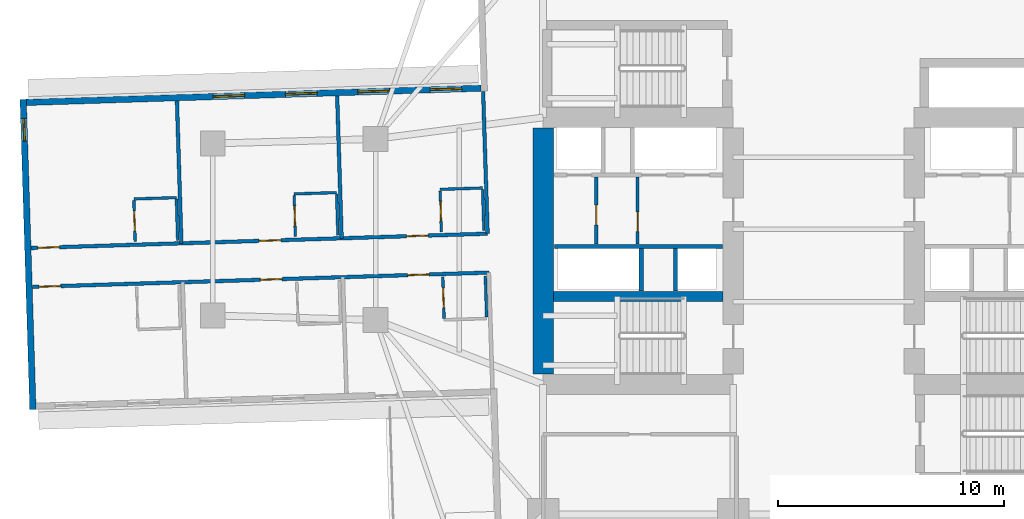
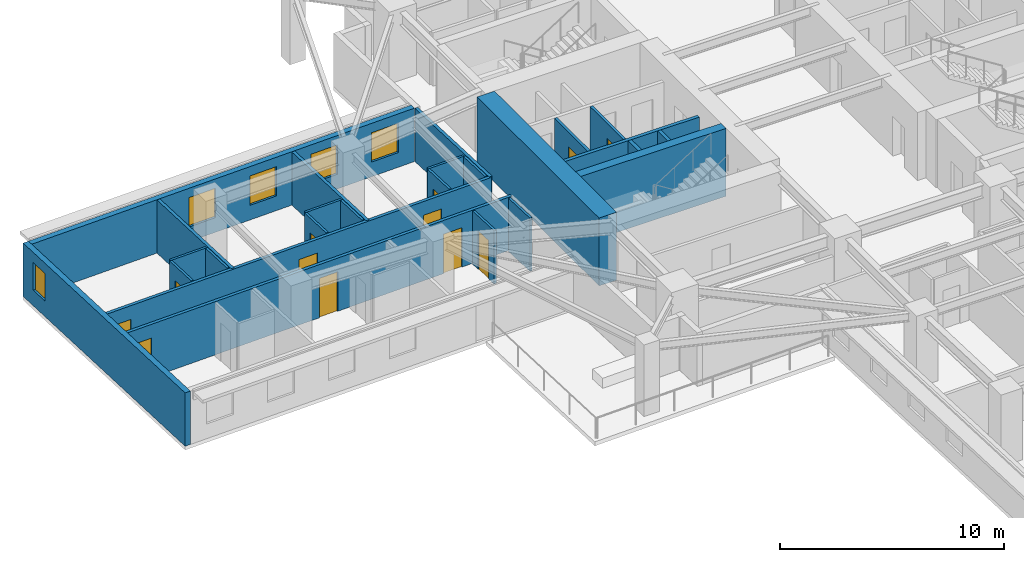
# One storey, part 5 of 14: 25 walls, 12 doors, 5 windows, 17 openings.
"""IFC4 building model written with IfcOpenShell, lengths in metres."""

import ifcopenshell
import ifcopenshell.guid

model = None  # the IFC model being written
_history = None  # IfcOwnerHistory: only IFC2X3 demands one
_inside = {}  # id of a spatial element -> (the spatial element, [elements in it])
_under = {}  # id of a project, library or spatial element -> (it, [spatial elements below it])
_declared = {}  # id of a project -> (the project, [libraries it declares])
_typed = {}  # id of a type object -> (the type object, [elements of that type])
_made_of = {}  # id of a material, layer set ... -> (it, [elements and type objects made of it])


def new_model(schema):
    """Start an empty IFC model of exactly this schema.

    Asked for "IFC4X3", IfcOpenShell would pick the latest addendum, in which some entities
    have other attributes; the version numbers below select the first issue.
    IFC2X3 requires an IfcOwnerHistory on every rooted entity: one is made here for all.
    """
    global model, _history
    if schema == "IFC4X3":
        model = ifcopenshell.file(schema_version=(4, 3, 0, 0))
    else:
        model = ifcopenshell.file(schema=schema)
    _inside.clear()
    _under.clear()
    _declared.clear()
    _typed.clear()
    _made_of.clear()
    _history = None
    if model.schema == "IFC2X3":
        org = make("IfcOrganization", Name="unknown")
        user = make(
            "IfcPersonAndOrganization",
            ThePerson=make("IfcPerson", FamilyName="unknown"),
            TheOrganization=org,
        )
        app = make(
            "IfcApplication",
            ApplicationDeveloper=org,
            Version="unknown",
            ApplicationFullName="unknown",
            ApplicationIdentifier="unknown",
        )
        _history = make(
            "IfcOwnerHistory",
            OwningUser=user,
            OwningApplication=app,
            ChangeAction="ADDED",
            CreationDate=0,
        )
    return model


def make(cls, **values):
    """One entity of the class cls with the attributes given. An attribute that is None is left unset."""
    return model.create_entity(
        cls, **{name: value for name, value in values.items() if value is not None}
    )


def rooted(cls, **values):
    """An entity with a GlobalId (a new one), such as an element, a storey or a relation."""
    return make(cls, GlobalId=ifcopenshell.guid.new(), OwnerHistory=_history, **values)


def si_unit(unit_type, name, prefix=None):
    """IfcSIUnit, for example si_unit("LENGTHUNIT", "METRE", prefix="MILLI")."""
    return make("IfcSIUnit", UnitType=unit_type, Prefix=prefix, Name=name)


def assignment(units):
    """IfcUnitAssignment: the units of a project."""
    return None if units is None else make("IfcUnitAssignment", Units=units)


def point(xyz):
    """IfcCartesianPoint."""
    return None if xyz is None else make("IfcCartesianPoint", Coordinates=xyz)


def direction(xyz):
    """IfcDirection."""
    return None if xyz is None else make("IfcDirection", DirectionRatios=xyz)


def frame(location, z_axis=None, x_axis=None):
    """IfcAxis2Placement3D, a coordinate frame: its origin and axes. An axis left out is left unset."""
    return make(
        "IfcAxis2Placement3D",
        Location=point(location),
        Axis=direction(z_axis),
        RefDirection=direction(x_axis),
    )


def frame_2d(location, x_axis=None):
    """IfcAxis2Placement2D, a coordinate frame in the plane: its origin and x axis."""
    return make(
        "IfcAxis2Placement2D", Location=point(location), RefDirection=direction(x_axis)
    )


def origin():
    """The frame at (0, 0, 0) with its axes left unset."""
    return frame((0.0, 0.0, 0.0))


def place(relative_to, where):
    """IfcLocalPlacement: puts the frame where relative to a parent placement (None: the world)."""
    return make(
        "IfcLocalPlacement", PlacementRelTo=relative_to, RelativePlacement=where
    )


def context(
    kind, dimensions, precision=None, world=None, true_north=None, identifier=None
):
    """IfcGeometricRepresentationContext, for example the 3D "Model" context."""
    return make(
        "IfcGeometricRepresentationContext",
        ContextIdentifier=identifier,
        ContextType=kind,
        CoordinateSpaceDimension=dimensions,
        Precision=precision,
        WorldCoordinateSystem=world,
        TrueNorth=true_north,
    )


def subcontext(parent, identifier, kind, view, scale=None):
    """IfcGeometricRepresentationSubContext, for example "Body" below "Model"."""
    return make(
        "IfcGeometricRepresentationSubContext",
        ContextIdentifier=identifier,
        ContextType=kind,
        ParentContext=parent,
        TargetScale=scale,
        TargetView=view,
    )


def project(units=None, contexts=None):
    """IfcProject with its units and contexts."""
    return rooted(
        "IfcProject",
        Name="project",
        RepresentationContexts=contexts,
        UnitsInContext=assignment(units),
    )


def spatial(cls, under=None, at=None, **own):
    """A site, building, storey or space (cls), placed at a placement, below another one or the project."""
    s = rooted(cls, ObjectPlacement=at, **own)
    if under is not None:
        _under.setdefault(under.id(), (under, []))[1].append(s)
    return s


def profile(cls, at=None, kind="AREA", **sizes):
    """A parametric profile (cls). Its sizes go by their IFC names, for example OverallWidth=200.0."""
    return make(cls, ProfileType=kind, Position=at, **sizes)


def rectangle(**sizes):
    """IfcRectangleProfileDef."""
    return profile("IfcRectangleProfileDef", **sizes)


def extrude(swept, where, along, depth):
    """IfcExtrudedAreaSolid: the profile swept, set in the frame where, extruded along a direction by depth."""
    return make(
        "IfcExtrudedAreaSolid",
        SweptArea=swept,
        Position=where,
        ExtrudedDirection=direction(along),
        Depth=depth,
    )


def shape(context_of_items, identifier, shape_type, items):
    """IfcShapeRepresentation: the items that make up one representation, for example the "Body"."""
    return make(
        "IfcShapeRepresentation",
        ContextOfItems=context_of_items,
        RepresentationIdentifier=identifier,
        RepresentationType=shape_type,
        Items=items,
    )


def material(Name=None, Category=None):
    """IfcMaterial."""
    return make("IfcMaterial", Name=Name, Category=Category)


def layer(
    of_material, thickness, ventilated=None, Name=None, Category=None, Priority=None
):
    """IfcMaterialLayer: one layer of a wall or slab, of a material (None: an air gap)."""
    return make(
        "IfcMaterialLayer",
        Material=of_material,
        LayerThickness=thickness,
        IsVentilated=ventilated,
        Name=Name,
        Category=Category,
        Priority=Priority,
    )


def layer_set(layers, Name=None):
    """IfcMaterialLayerSet."""
    return make("IfcMaterialLayerSet", MaterialLayers=layers, LayerSetName=Name)


def made_of(thing, what):
    """Note that an element or type object is made of a material, layer set ...; save() writes the relation."""
    if what is not None:
        _made_of.setdefault(what.id(), (what, []))[1].append(thing)
    return thing


def type_object(cls, material=None, **own):
    """A type object (cls), such as IfcWallType, which elements share."""
    return made_of(rooted(cls, **own), material)


def element(
    cls,
    number,
    at=None,
    inside=None,
    cuts=None,
    type_object=None,
    material=None,
    context=None,
    identifier="Body",
    shape_type=None,
    held_by="IfcProductDefinitionShape",
    body=None,
    shapes=None,
    **own,
):
    """One element of the class cls, such as IfcWall. Its Tag is "e" and its number.

    at: its placement. inside: the storey or other place that contains it. cuts: it is an
    opening in that element (IfcRelVoidsElement). A single representation is given by context,
    identifier, shape_type and body (its items); several are given by shapes. held_by: the class
    of the entity that holds the representations. save() writes the other relations.
    """
    e = rooted(cls, Tag="e%d" % number, ObjectPlacement=at, **own)
    if body is not None:
        shapes = [shape(context, identifier, shape_type, body)]
    if shapes is not None:
        e.Representation = make(held_by, Representations=shapes)
    if inside is not None:
        _inside.setdefault(inside.id(), (inside, []))[1].append(e)
    if cuts is not None:
        rooted(
            "IfcRelVoidsElement", RelatingBuildingElement=cuts, RelatedOpeningElement=e
        )
    if type_object is not None:
        _typed.setdefault(type_object.id(), (type_object, []))[1].append(e)
    return made_of(e, material)


def fill(opening, filler):
    """IfcRelFillsElement: the door or window that sits in an opening."""
    return rooted(
        "IfcRelFillsElement",
        RelatingOpeningElement=opening,
        RelatedBuildingElement=filler,
    )


def aggregate(whole, parts):
    """IfcRelAggregates: a whole, such as a stair, and the parts it consists of."""
    return rooted("IfcRelAggregates", RelatingObject=whole, RelatedObjects=parts)


def save(model, path):
    """Write the relations noted so far, then the file.

    IfcRelAggregates (storeys below a building ...), IfcRelContainedInSpatialStructure (elements
    in a storey), IfcRelDefinesByType, IfcRelAssociatesMaterial and IfcRelDeclares: one each for
    every whole, place, type object, material and project.
    """
    for whole, parts in _under.values():
        aggregate(whole, parts)
    for where, things in _inside.values():
        rooted(
            "IfcRelContainedInSpatialStructure",
            RelatedElements=things,
            RelatingStructure=where,
        )
    for kind, things in _typed.values():
        rooted("IfcRelDefinesByType", RelatedObjects=things, RelatingType=kind)
    for what, things in _made_of.values():
        rooted("IfcRelAssociatesMaterial", RelatedObjects=things, RelatingMaterial=what)
    for by, libraries in _declared.values():
        rooted("IfcRelDeclares", RelatingContext=by, RelatedDefinitions=libraries)
    model.write(path)


model = new_model("IFC4")

# Units and contexts
model_context = context("Model", 3, precision=1e-05, world=origin(), true_north=direction((0.0, 1.0)))
body_context = subcontext(model_context, "Body", "Model", "MODEL_VIEW")
ifc_project = project(units=[si_unit("LENGTHUNIT", "METRE"), si_unit("AREAUNIT", "SQUARE_METRE"), si_unit("VOLUMEUNIT", "CUBIC_METRE"), si_unit("PLANEANGLEUNIT", "RADIAN"), si_unit("MASSUNIT", "GRAM", prefix="KILO")], contexts=[model_context])

# Site, building, storey
site_placement = place(None, origin())
site = spatial("IfcSite", under=ifc_project, at=site_placement, CompositionType="ELEMENT")
building_placement = place(site_placement, origin())
building = spatial("IfcBuilding", under=site, at=building_placement, Name="Qingluan Cross Belvedere", CompositionType="ELEMENT")
storey_placement = place(building_placement, frame((0.0, 0.0, 56.10009765625)))
storey = spatial("IfcBuildingStorey", under=building, at=storey_placement, Name="L14", CompositionType="ELEMENT", Elevation=56.10009765625)

# Walls
ifc_material_1 = material(Name="Concrete C50", Category="concrete")
ifc_layer_1 = layer(ifc_material_1, 0.449951171875, Name="CoreShearWall_450")
ifc_layer_set_1 = layer_set([ifc_layer_1], Name="Concrete C50")
wall_type_1 = type_object("IfcWallType", Name="CoreShearWall_450", PredefinedType="SHEAR", material=ifc_layer_set_1)
wall_1_placement = place(storey_placement, frame((-11.945068359375, -2.9599609375, 0.0), z_axis=(0.0, 0.0, 1.0), x_axis=(1.0, 0.0, 0.0)))
element("IfcWall", 1, at=wall_1_placement, inside=storey, type_object=wall_type_1, Name="Split core W shear wall L14-M", PredefinedType="SHEAR", context=body_context, shape_type="SweptSolid", body=[
    extrude(rectangle(XDim=7.489990234375, YDim=0.449951171875, at=frame_2d((3.7451171875, 0.0))), origin(), (0.0, 0.0, 1.0), 3.699951171875),
])
ifc_material_2 = material(Name="Concrete C70", Category="concrete")
ifc_layer_2 = layer(ifc_material_2, 0.89990234375, Name="CoreShearWall_900")
ifc_layer_set_2 = layer_set([ifc_layer_2], Name="Concrete C70")
wall_type_2 = type_object("IfcWallType", Name="CoreShearWall_900", PredefinedType="SHEAR", material=ifc_layer_set_2)
wall_2_placement = place(storey_placement, frame((-12.39990234375, -6.39501953125, 0.0), z_axis=(0.0, 0.0, 1.0), x_axis=(0.0, 1.0, 0.0)))
element("IfcWall", 2, at=wall_2_placement, inside=storey, type_object=wall_type_2, Name="Split core W shear wall L14-W", PredefinedType="SHEAR", context=body_context, shape_type="SweptSolid", body=[
    extrude(rectangle(XDim=10.89013671875, YDim=0.89990234375, at=frame_2d((5.445068359375, 0.0))), origin(), (0.0, 0.0, 1.0), 3.699951171875),
])

# Wall, opening, door
ifc_material_3 = material(Name="Gypsum plasterboard on steel stud acoustic partition", Category="steel")
ifc_layer_3 = layer(ifc_material_3, 0.159912109375, Name="CorridorPartition_160")
ifc_layer_set_3 = layer_set([ifc_layer_3], Name="Gypsum plasterboard on steel stud acoustic partition")
wall_type_3 = type_object("IfcWallType", Name="CorridorPartition_160", PredefinedType="PARTITIONING", material=ifc_layer_set_3)
wall_3_placement = place(storey_placement, frame((-10.050048828125, -0.652099609375, 0.0), z_axis=(0.0, 0.0, 1.0), x_axis=(0.0, 1.0, 0.0)))
wall_3 = element("IfcWall", 3, at=wall_3_placement, inside=storey, type_object=wall_type_3, Name="Partition L14:wv", PredefinedType="PARTITIONING", context=body_context, shape_type="SweptSolid", body=[
    extrude(rectangle(XDim=2.962158203125, YDim=0.139892578125, at=frame_2d((1.48095703125, 0.0))), origin(), (0.0, 0.0, 1.0), 2.89990234375),
])
opening_1_placement = place(wall_3_placement, frame((0.85009765625, 0.0, 0.0)))
opening_1 = element("IfcOpeningElement", 4, at=opening_1_placement, cuts=wall_3, Name="Opening FD-B10", PredefinedType="OPENING", context=body_context, shape_type="SweptSolid", body=[
    extrude(rectangle(XDim=0.8798828125, YDim=2.10009765625, at=frame_2d((0.43994140625, 1.050048828125))), frame((0.0, 0.079833984375, 0.0), z_axis=(0.0, -1.0, 0.0), x_axis=(1.0, 0.0, 0.0)), (0.0, 0.0, 1.0), 0.159912109375),
])
ifc_material_4 = material(Name="Steel Class B service fire door", Category="steel")
door_type_1 = type_object("IfcDoorType", Name="RiserServiceFireDoor_FDB", OperationType="NOTDEFINED", PredefinedType="DOOR", material=ifc_material_4)
door_1_placement = place(opening_1_placement, origin())
door_1 = element("IfcDoor", 5, at=door_1_placement, inside=storey, type_object=door_type_1, Name="Service closet inner door L14", OperationType="SINGLE_SWING_RIGHT", OverallHeight=2.10009765625, OverallWidth=0.8798828125, PredefinedType="DOOR", context=body_context, shape_type="SweptSolid", body=[
    extrude(rectangle(XDim=0.8798828125, YDim=2.10009765625, at=frame_2d((0.43994140625, 1.050048828125))), frame((0.0, 0.02490234375, 0.0), z_axis=(0.0, -1.0, 0.0), x_axis=(1.0, 0.0, 0.0)), (0.0, 0.0, 1.0), 0.050048828125),
])
fill(opening_1, door_1)

# Wall, openings, doors
wall_4_placement = place(storey_placement, frame((-14.8515625, -0.1865234375, 0.0), z_axis=(0.0, 0.0, 1.0), x_axis=(-0.99950639469, -0.031416030536, 0.0)))
wall_4 = element("IfcWall", 6, at=wall_4_placement, inside=storey, type_object=wall_type_3, Name="Partition L14:W:c0", PredefinedType="PARTITIONING", context=body_context, shape_type="SweptSolid", body=[
    extrude(rectangle(XDim=20.181884765625, YDim=0.159912109375, at=frame_2d((10.0908203125, 0.0))), origin(), (0.0, 0.0, 1.0), 2.89990234375),
])
opening_2_placement = place(wall_4_placement, frame((2.6259765625, 0.0, 0.0)))
opening_2 = element("IfcOpeningElement", 7, at=opening_2_placement, cuts=wall_4, Name="Opening GD-10", PredefinedType="OPENING", context=body_context, shape_type="SweptSolid", body=[
    extrude(rectangle(XDim=0.9599609375, YDim=2.14990234375, at=frame_2d((0.47998046875, 1.074951171875))), frame((0.0, 0.08984375, 0.0), z_axis=(0.0, -1.0, 0.0), x_axis=(1.0, 0.0, 0.0)), (0.0, 0.0, 1.0), 0.179931640625),
])
opening_3_placement = place(wall_4_placement, frame((9.14306640625, 0.0, 0.0)))
opening_3 = element("IfcOpeningElement", 8, at=opening_3_placement, cuts=wall_4, Name="Opening GD-10", PredefinedType="OPENING", context=body_context, shape_type="SweptSolid", body=[
    extrude(rectangle(XDim=0.9599609375, YDim=2.14990234375, at=frame_2d((0.47998046875, 1.074951171875))), frame((0.0, 0.08984375, 0.0), z_axis=(0.0, -1.0, 0.0), x_axis=(1.0, 0.0, 0.0)), (0.0, 0.0, 1.0), 0.179931640625),
])
opening_4_placement = place(wall_4_placement, frame((18.929931640625, 0.0, 0.0)))
opening_4 = element("IfcOpeningElement", 9, at=opening_4_placement, cuts=wall_4, Name="Opening GD-10", PredefinedType="OPENING", context=body_context, shape_type="SweptSolid", body=[
    extrude(rectangle(XDim=0.9599609375, YDim=2.14990234375, at=frame_2d((0.47998046875, 1.074951171875))), frame((0.0, 0.08984375, 0.0), z_axis=(0.0, -1.0, 0.0), x_axis=(1.0, 0.0, 0.0)), (0.0, 0.0, 1.0), 0.179931640625),
])
ifc_material_5 = material(Name="Timber oak fire-rated acoustic guestroom door", Category="wood")
door_type_2 = type_object("IfcDoorType", Name="GuestEntryDoor_FD60", OperationType="NOTDEFINED", PredefinedType="DOOR", material=ifc_material_5)
door_2_placement = place(opening_2_placement, origin())
door_2 = element("IfcDoor", 10, at=door_2_placement, inside=storey, type_object=door_type_2, Name="Guest entry fire door 1407", OperationType="SINGLE_SWING_LEFT", OverallHeight=2.14990234375, OverallWidth=0.9599609375, PredefinedType="DOOR", context=body_context, shape_type="SweptSolid", body=[
    extrude(rectangle(XDim=0.9599609375, YDim=2.14990234375, at=frame_2d((0.47998046875, 1.074951171875))), frame((0.0, 0.02490234375, 0.0), z_axis=(0.0, -1.0, 0.0), x_axis=(1.0, 0.0, 0.0)), (0.0, 0.0, 1.0), 0.050048828125),
])
fill(opening_2, door_2)
door_3_placement = place(opening_3_placement, origin())
door_3 = element("IfcDoor", 11, at=door_3_placement, inside=storey, type_object=door_type_2, Name="Guest entry fire door 1408", OperationType="SINGLE_SWING_LEFT", OverallHeight=2.14990234375, OverallWidth=0.9599609375, PredefinedType="DOOR", context=body_context, shape_type="SweptSolid", body=[
    extrude(rectangle(XDim=0.9599609375, YDim=2.14990234375, at=frame_2d((0.47998046875, 1.074951171875))), frame((0.0, 0.02490234375, 0.0), z_axis=(0.0, -1.0, 0.0), x_axis=(1.0, 0.0, 0.0)), (0.0, 0.0, 1.0), 0.050048828125),
])
fill(opening_3, door_3)
door_4_placement = place(opening_4_placement, origin())
door_4 = element("IfcDoor", 12, at=door_4_placement, inside=storey, type_object=door_type_2, Name="Guest entry fire door 1409", OperationType="SINGLE_SWING_LEFT", OverallHeight=2.14990234375, OverallWidth=0.9599609375, PredefinedType="DOOR", context=body_context, shape_type="SweptSolid", body=[
    extrude(rectangle(XDim=0.9599609375, YDim=2.14990234375, at=frame_2d((0.47998046875, 1.074951171875))), frame((0.0, 0.02490234375, 0.0), z_axis=(0.0, -1.0, 0.0), x_axis=(1.0, 0.0, 0.0)), (0.0, 0.0, 1.0), 0.050048828125),
])
fill(opening_4, door_4)

# Walls
wall_5_placement = place(storey_placement, frame((-14.8515625, -0.1865234375, 0.0), z_axis=(0.0, 0.0, 1.0), x_axis=(-0.031429784908, 0.999505962274, 0.0)))
element("IfcWall", 13, at=wall_5_placement, inside=storey, type_object=wall_type_3, Name="Partition L14:W:s0", PredefinedType="PARTITIONING", context=body_context, shape_type="SweptSolid", body=[
    extrude(rectangle(XDim=6.2919921875, YDim=0.159912109375, at=frame_2d((3.14599609375, 0.0))), origin(), (0.0, 0.0, 1.0), 2.89990234375),
])
wall_6_placement = place(storey_placement, frame((-21.30322265625, -0.389404296875, 0.0), z_axis=(0.0, 0.0, 1.0), x_axis=(-0.031428566013, 0.999506000601, 0.0)))
element("IfcWall", 14, at=wall_6_placement, inside=storey, type_object=wall_type_3, Name="Partition L14:W:d0_0", PredefinedType="PARTITIONING", context=body_context, shape_type="SweptSolid", body=[
    extrude(rectangle(XDim=6.292236328125, YDim=0.159912109375, at=frame_2d((3.14599609375, 0.0))), origin(), (0.0, 0.0, 1.0), 2.89990234375),
])
wall_7_placement = place(storey_placement, frame((-28.384765625, -0.61181640625, 0.0), z_axis=(0.0, 0.0, 1.0), x_axis=(-0.031429784908, 0.999505962274, 0.0)))
element("IfcWall", 15, at=wall_7_placement, inside=storey, type_object=wall_type_3, Name="Partition L14:W:d0_1", PredefinedType="PARTITIONING", context=body_context, shape_type="SweptSolid", body=[
    extrude(rectangle(XDim=6.2919921875, YDim=0.159912109375, at=frame_2d((3.14599609375, 0.0))), origin(), (0.0, 0.0, 1.0), 2.89990234375),
])

# Wall, openings, doors
wall_8_placement = place(storey_placement, frame((-14.79736328125, -1.90576171875, 0.0), z_axis=(0.0, 0.0, 1.0), x_axis=(-0.999506406629, -0.031415650687, 0.0)))
wall_8 = element("IfcWall", 16, at=wall_8_placement, inside=storey, type_object=wall_type_3, Name="Partition L14:W:c1", PredefinedType="PARTITIONING", context=body_context, shape_type="SweptSolid", body=[
    extrude(rectangle(XDim=20.18212890625, YDim=0.159912109375, at=frame_2d((10.091064453125, 0.0))), origin(), (0.0, 0.0, 1.0), 2.89990234375),
])
opening_5_placement = place(wall_8_placement, frame((2.6259765625, 0.0, 0.0)))
opening_5 = element("IfcOpeningElement", 17, at=opening_5_placement, cuts=wall_8, Name="Opening GD-10", PredefinedType="OPENING", context=body_context, shape_type="SweptSolid", body=[
    extrude(rectangle(XDim=0.9599609375, YDim=2.14990234375, at=frame_2d((0.47998046875, 1.074951171875))), frame((0.0, 0.08984375, 0.0), z_axis=(0.0, -1.0, 0.0), x_axis=(1.0, 0.0, 0.0)), (0.0, 0.0, 1.0), 0.179931640625),
])
opening_6_placement = place(wall_8_placement, frame((9.14306640625, 0.0, 0.0)))
opening_6 = element("IfcOpeningElement", 18, at=opening_6_placement, cuts=wall_8, Name="Opening GD-10", PredefinedType="OPENING", context=body_context, shape_type="SweptSolid", body=[
    extrude(rectangle(XDim=0.9599609375, YDim=2.14990234375, at=frame_2d((0.47998046875, 1.074951171875))), frame((0.0, 0.08984375, 0.0), z_axis=(0.0, -1.0, 0.0), x_axis=(1.0, 0.0, 0.0)), (0.0, 0.0, 1.0), 0.179931640625),
])
opening_7_placement = place(wall_8_placement, frame((18.929931640625, 0.0, 0.0)))
opening_7 = element("IfcOpeningElement", 19, at=opening_7_placement, cuts=wall_8, Name="Opening GD-10", PredefinedType="OPENING", context=body_context, shape_type="SweptSolid", body=[
    extrude(rectangle(XDim=0.9599609375, YDim=2.14990234375, at=frame_2d((0.47998046875, 1.074951171875))), frame((0.0, 0.08984375, 0.0), z_axis=(0.0, -1.0, 0.0), x_axis=(1.0, 0.0, 0.0)), (0.0, 0.0, 1.0), 0.179931640625),
])
door_5_placement = place(opening_5_placement, origin())
door_5 = element("IfcDoor", 20, at=door_5_placement, inside=storey, type_object=door_type_2, Name="Guest entry fire door 1410", OperationType="SINGLE_SWING_LEFT", OverallHeight=2.14990234375, OverallWidth=0.9599609375, PredefinedType="DOOR", context=body_context, shape_type="SweptSolid", body=[
    extrude(rectangle(XDim=0.9599609375, YDim=2.14990234375, at=frame_2d((0.47998046875, 1.074951171875))), frame((0.0, 0.02490234375, 0.0), z_axis=(0.0, -1.0, 0.0), x_axis=(1.0, 0.0, 0.0)), (0.0, 0.0, 1.0), 0.050048828125),
])
fill(opening_5, door_5)
door_6_placement = place(opening_6_placement, origin())
door_6 = element("IfcDoor", 21, at=door_6_placement, inside=storey, type_object=door_type_2, Name="Guest entry fire door 1411", OperationType="SINGLE_SWING_LEFT", OverallHeight=2.14990234375, OverallWidth=0.9599609375, PredefinedType="DOOR", context=body_context, shape_type="SweptSolid", body=[
    extrude(rectangle(XDim=0.9599609375, YDim=2.14990234375, at=frame_2d((0.47998046875, 1.074951171875))), frame((0.0, 0.02490234375, 0.0), z_axis=(0.0, -1.0, 0.0), x_axis=(1.0, 0.0, 0.0)), (0.0, 0.0, 1.0), 0.050048828125),
])
fill(opening_6, door_6)
door_7_placement = place(opening_7_placement, origin())
door_7 = element("IfcDoor", 22, at=door_7_placement, inside=storey, type_object=door_type_2, Name="Guest entry fire door 1412", OperationType="SINGLE_SWING_LEFT", OverallHeight=2.14990234375, OverallWidth=0.9599609375, PredefinedType="DOOR", context=body_context, shape_type="SweptSolid", body=[
    extrude(rectangle(XDim=0.9599609375, YDim=2.14990234375, at=frame_2d((0.47998046875, 1.074951171875))), frame((0.0, 0.02490234375, 0.0), z_axis=(0.0, -1.0, 0.0), x_axis=(1.0, 0.0, 0.0)), (0.0, 0.0, 1.0), 0.050048828125),
])
fill(opening_7, door_7)

# Wall, opening, door
ifc_material_6 = material(Name="Moisture-resistant gypsum board lining")
ifc_layer_4 = layer(ifc_material_6, 0.1201171875, Name="EnsuiteWetPartition_120")
ifc_layer_set_4 = layer_set([ifc_layer_4], Name="Moisture-resistant gypsum board lining")
wall_type_4 = type_object("IfcWallType", Name="EnsuiteWetPartition_120", PredefinedType="PARTITIONING", material=ifc_layer_set_4)
wall_9_placement = place(storey_placement, frame((-16.89501953125, -0.110595703125, 0.0), z_axis=(0.0, 0.0, 1.0), x_axis=(-0.031255692016, 0.999511421504, 0.0)))
wall_9 = element("IfcWall", 23, at=wall_9_placement, inside=storey, type_object=wall_type_4, Name="Partition L14:W:bs0_0", PredefinedType="PARTITIONING", context=body_context, shape_type="SweptSolid", body=[
    extrude(rectangle(XDim=1.820068359375, YDim=0.1201171875, at=frame_2d((0.91015625, 0.0))), origin(), (0.0, 0.0, 1.0), 2.89990234375),
])
opening_8_placement = place(wall_9_placement, frame((0.469970703125, 0.0, 0.0)))
opening_8 = element("IfcOpeningElement", 24, at=opening_8_placement, cuts=wall_9, Name="Opening BD-09", PredefinedType="OPENING", context=body_context, shape_type="SweptSolid", body=[
    extrude(rectangle(XDim=0.8798828125, YDim=2.10009765625, at=frame_2d((0.43994140625, 1.050048828125))), frame((0.0, 0.070068359375, 0.0), z_axis=(0.0, -1.0, 0.0), x_axis=(1.0, 0.0, 0.0)), (0.0, 0.0, 1.0), 0.14013671875),
])
ifc_material_7 = material(Name="Moisture-sealed timber en-suite door", Category="wood")
door_type_3 = type_object("IfcDoorType", Name="BathroomDoor_880", OperationType="NOTDEFINED", PredefinedType="DOOR", material=ifc_material_7)
door_8_placement = place(opening_8_placement, origin())
door_8 = element("IfcDoor", 25, at=door_8_placement, inside=storey, type_object=door_type_3, Name="Bathroom door 1407", OperationType="SINGLE_SWING_RIGHT", OverallHeight=2.10009765625, OverallWidth=0.8798828125, PredefinedType="DOOR", context=body_context, shape_type="SweptSolid", body=[
    extrude(rectangle(XDim=0.8798828125, YDim=2.10009765625, at=frame_2d((0.43994140625, 1.050048828125))), frame((0.0, 0.02490234375, 0.0), z_axis=(0.0, -1.0, 0.0), x_axis=(1.0, 0.0, 0.0)), (0.0, 0.0, 1.0), 0.050048828125),
])
fill(opening_8, door_8)

# Walls
wall_10_placement = place(storey_placement, frame((-15.015869140625, -0.0517578125, 0.0), z_axis=(0.0, 0.0, 1.0), x_axis=(-0.031389704724, 0.999507221803, 0.0)))
element("IfcWall", 26, at=wall_10_placement, inside=storey, type_object=wall_type_4, Name="Partition L14:W:bw0_0", PredefinedType="PARTITIONING", context=body_context, shape_type="SweptSolid", body=[
    extrude(rectangle(XDim=1.820068359375, YDim=0.1201171875, at=frame_2d((0.91015625, 0.0))), origin(), (0.0, 0.0, 1.0), 2.89990234375),
])
wall_11_placement = place(storey_placement, frame((-15.074951171875, 1.83251953125, 0.0), z_axis=(0.0, 0.0, 1.0), x_axis=(-0.999502016358, -0.031555020134, 0.0)))
element("IfcWall", 27, at=wall_11_placement, inside=storey, type_object=wall_type_4, Name="Partition L14:W:bn0_0", PredefinedType="PARTITIONING", context=body_context, shape_type="SweptSolid", body=[
    extrude(rectangle(XDim=1.880126953125, YDim=0.1201171875, at=frame_2d((0.93994140625, 0.0))), origin(), (0.0, 0.0, 1.0), 2.89990234375),
])

# Wall, opening, door
wall_12_placement = place(storey_placement, frame((-23.3466796875, -0.3134765625, 0.0), z_axis=(0.0, 0.0, 1.0), x_axis=(-0.031389704724, 0.999507221803, 0.0)))
wall_12 = element("IfcWall", 28, at=wall_12_placement, inside=storey, type_object=wall_type_4, Name="Partition L14:W:bs0_1", PredefinedType="PARTITIONING", context=body_context, shape_type="SweptSolid", body=[
    extrude(rectangle(XDim=1.820068359375, YDim=0.1201171875, at=frame_2d((0.91015625, 0.0))), origin(), (0.0, 0.0, 1.0), 2.89990234375),
])
opening_9_placement = place(wall_12_placement, frame((0.469970703125, 0.0, 0.0)))
opening_9 = element("IfcOpeningElement", 29, at=opening_9_placement, cuts=wall_12, Name="Opening BD-09", PredefinedType="OPENING", context=body_context, shape_type="SweptSolid", body=[
    extrude(rectangle(XDim=0.8798828125, YDim=2.10009765625, at=frame_2d((0.43994140625, 1.050048828125))), frame((0.0, 0.070068359375, 0.0), z_axis=(0.0, -1.0, 0.0), x_axis=(1.0, 0.0, 0.0)), (0.0, 0.0, 1.0), 0.14013671875),
])
door_9_placement = place(opening_9_placement, origin())
door_9 = element("IfcDoor", 30, at=door_9_placement, inside=storey, type_object=door_type_3, Name="Bathroom door 1408", OperationType="SINGLE_SWING_RIGHT", OverallHeight=2.10009765625, OverallWidth=0.8798828125, PredefinedType="DOOR", context=body_context, shape_type="SweptSolid", body=[
    extrude(rectangle(XDim=0.8798828125, YDim=2.10009765625, at=frame_2d((0.43994140625, 1.050048828125))), frame((0.0, 0.02490234375, 0.0), z_axis=(0.0, -1.0, 0.0), x_axis=(1.0, 0.0, 0.0)), (0.0, 0.0, 1.0), 0.050048828125),
])
fill(opening_9, door_9)

# Walls
wall_13_placement = place(storey_placement, frame((-21.467529296875, -0.25439453125, 0.0), z_axis=(0.0, 0.0, 1.0), x_axis=(-0.03152371574, 0.999503004171, 0.0)))
element("IfcWall", 31, at=wall_13_placement, inside=storey, type_object=wall_type_4, Name="Partition L14:W:bw0_1", PredefinedType="PARTITIONING", context=body_context, shape_type="SweptSolid", body=[
    extrude(rectangle(XDim=1.820068359375, YDim=0.1201171875, at=frame_2d((0.91015625, 0.0))), origin(), (0.0, 0.0, 1.0), 2.89990234375),
])
wall_14_placement = place(storey_placement, frame((-21.52685546875, 1.629638671875, 0.0), z_axis=(0.0, 0.0, 1.0), x_axis=(-0.999506103526, -0.031425292588, 0.0)))
element("IfcWall", 32, at=wall_14_placement, inside=storey, type_object=wall_type_4, Name="Partition L14:W:bn0_1", PredefinedType="PARTITIONING", context=body_context, shape_type="SweptSolid", body=[
    extrude(rectangle(XDim=1.880126953125, YDim=0.1201171875, at=frame_2d((0.93994140625, 0.0))), origin(), (0.0, 0.0, 1.0), 2.89990234375),
])

# Wall, opening, door
wall_15_placement = place(storey_placement, frame((-30.42822265625, -0.535888671875, 0.0), z_axis=(0.0, 0.0, 1.0), x_axis=(-0.031389704724, 0.999507221803, 0.0)))
wall_15 = element("IfcWall", 33, at=wall_15_placement, inside=storey, type_object=wall_type_4, Name="Partition L14:W:bs0_2", PredefinedType="PARTITIONING", context=body_context, shape_type="SweptSolid", body=[
    extrude(rectangle(XDim=1.820068359375, YDim=0.1201171875, at=frame_2d((0.91015625, 0.0))), origin(), (0.0, 0.0, 1.0), 2.89990234375),
])
opening_10_placement = place(wall_15_placement, frame((0.469970703125, 0.0, 0.0)))
opening_10 = element("IfcOpeningElement", 34, at=opening_10_placement, cuts=wall_15, Name="Opening BD-09", PredefinedType="OPENING", context=body_context, shape_type="SweptSolid", body=[
    extrude(rectangle(XDim=0.8798828125, YDim=2.10009765625, at=frame_2d((0.43994140625, 1.050048828125))), frame((0.0, 0.070068359375, 0.0), z_axis=(0.0, -1.0, 0.0), x_axis=(1.0, 0.0, 0.0)), (0.0, 0.0, 1.0), 0.14013671875),
])
door_10_placement = place(opening_10_placement, origin())
door_10 = element("IfcDoor", 35, at=door_10_placement, inside=storey, type_object=door_type_3, Name="Bathroom door 1409", OperationType="SINGLE_SWING_RIGHT", OverallHeight=2.10009765625, OverallWidth=0.8798828125, PredefinedType="DOOR", context=body_context, shape_type="SweptSolid", body=[
    extrude(rectangle(XDim=0.8798828125, YDim=2.10009765625, at=frame_2d((0.43994140625, 1.050048828125))), frame((0.0, 0.02490234375, 0.0), z_axis=(0.0, -1.0, 0.0), x_axis=(1.0, 0.0, 0.0)), (0.0, 0.0, 1.0), 0.050048828125),
])
fill(opening_10, door_10)

# Walls
wall_16_placement = place(storey_placement, frame((-28.549072265625, -0.47705078125, 0.0), z_axis=(0.0, 0.0, 1.0), x_axis=(-0.031389704724, 0.999507221803, 0.0)))
element("IfcWall", 36, at=wall_16_placement, inside=storey, type_object=wall_type_4, Name="Partition L14:W:bw0_2", PredefinedType="PARTITIONING", context=body_context, shape_type="SweptSolid", body=[
    extrude(rectangle(XDim=1.820068359375, YDim=0.1201171875, at=frame_2d((0.91015625, 0.0))), origin(), (0.0, 0.0, 1.0), 2.89990234375),
])
wall_17_placement = place(storey_placement, frame((-28.6083984375, 1.406982421875, 0.0), z_axis=(0.0, 0.0, 1.0), x_axis=(-0.999505975261, -0.031429371883, 0.0)))
element("IfcWall", 37, at=wall_17_placement, inside=storey, type_object=wall_type_4, Name="Partition L14:W:bn0_2", PredefinedType="PARTITIONING", context=body_context, shape_type="SweptSolid", body=[
    extrude(rectangle(XDim=1.8798828125, YDim=0.1201171875, at=frame_2d((0.93994140625, 0.0))), origin(), (0.0, 0.0, 1.0), 2.89990234375),
])

# Wall, opening, door
wall_18_placement = place(storey_placement, frame((-16.77490234375, -3.928955078125, 0.0), z_axis=(0.0, 0.0, 1.0), x_axis=(-0.031385496622, 0.999507353951, 0.0)))
wall_18 = element("IfcWall", 38, at=wall_18_placement, inside=storey, type_object=wall_type_4, Name="Partition L14:W:bs1_0", PredefinedType="PARTITIONING", context=body_context, shape_type="SweptSolid", body=[
    extrude(rectangle(XDim=1.8203125, YDim=0.1201171875, at=frame_2d((0.91015625, 0.0))), origin(), (0.0, 0.0, 1.0), 2.89990234375),
])
opening_11_placement = place(wall_18_placement, frame((0.469970703125, 0.0, 0.0)))
opening_11 = element("IfcOpeningElement", 39, at=opening_11_placement, cuts=wall_18, Name="Opening BD-09", PredefinedType="OPENING", context=body_context, shape_type="SweptSolid", body=[
    extrude(rectangle(XDim=0.8798828125, YDim=2.10009765625, at=frame_2d((0.43994140625, 1.050048828125))), frame((0.0, 0.070068359375, 0.0), z_axis=(0.0, -1.0, 0.0), x_axis=(1.0, 0.0, 0.0)), (0.0, 0.0, 1.0), 0.14013671875),
])
door_11_placement = place(opening_11_placement, origin())
door_11 = element("IfcDoor", 40, at=door_11_placement, inside=storey, type_object=door_type_3, Name="Bathroom door 1410", OperationType="SINGLE_SWING_RIGHT", OverallHeight=2.10009765625, OverallWidth=0.8798828125, PredefinedType="DOOR", context=body_context, shape_type="SweptSolid", body=[
    extrude(rectangle(XDim=0.8798828125, YDim=2.10009765625, at=frame_2d((0.43994140625, 1.050048828125))), frame((0.0, 0.02490234375, 0.0), z_axis=(0.0, -1.0, 0.0), x_axis=(1.0, 0.0, 0.0)), (0.0, 0.0, 1.0), 0.050048828125),
])
fill(opening_11, door_11)

# Wall
wall_19_placement = place(storey_placement, frame((-14.895751953125, -3.869873046875, 0.0), z_axis=(0.0, 0.0, 1.0), x_axis=(-0.031389704724, 0.999507221803, 0.0)))
element("IfcWall", 41, at=wall_19_placement, inside=storey, type_object=wall_type_4, Name="Partition L14:W:bw1_0", PredefinedType="PARTITIONING", context=body_context, shape_type="SweptSolid", body=[
    extrude(rectangle(XDim=1.820068359375, YDim=0.1201171875, at=frame_2d((0.91015625, 0.0))), origin(), (0.0, 0.0, 1.0), 2.89990234375),
])

# Wall, openings, windows
ifc_material_8 = material(Name="Precast concrete C45", Category="concrete")
ifc_layer_5 = layer(ifc_material_8, 0.280029296875, Name="PrecastFacadeWall_280")
ifc_layer_set_5 = layer_set([ifc_layer_5], Name="Precast concrete C45")
wall_type_5 = type_object("IfcWallType", Name="PrecastFacadeWall_280", PredefinedType="STANDARD", material=ifc_layer_set_5)
wall_20_placement = place(storey_placement, frame((-15.143798828125, 6.247314453125, 0.0), z_axis=(0.0, 0.0, 1.0), x_axis=(-0.999506955354, -0.031398187845, 0.0)))
wall_20 = element("IfcWall", 42, at=wall_20_placement, inside=storey, type_object=wall_type_5, Name="Facade wall L14-WA", PredefinedType="STANDARD", context=body_context, shape_type="SweptSolid", body=[
    extrude(rectangle(XDim=20.10009765625, YDim=0.280029296875, at=frame_2d((10.050048828125, 0.0))), origin(), (0.0, 0.0, 1.0), 2.909912109375),
])
opening_12_placement = place(wall_20_placement, frame((0.85009765625, 0.0, 0.800048828125)))
opening_12 = element("IfcOpeningElement", 43, at=opening_12_placement, cuts=wall_20, Name="Opening W-01", PredefinedType="OPENING", context=body_context, shape_type="SweptSolid", body=[
    extrude(rectangle(XDim=1.39990234375, YDim=1.60009765625, at=frame_2d((0.699951171875, 0.800048828125))), frame((0.0, 0.14990234375, 0.0), z_axis=(0.0, -1.0, 0.0), x_axis=(1.0, 0.0, 0.0)), (0.0, 0.0, 1.0), 0.300048828125),
])
opening_13_placement = place(wall_20_placement, frame((4.050048828125, 0.0, 0.800048828125)))
opening_13 = element("IfcOpeningElement", 44, at=opening_13_placement, cuts=wall_20, Name="Opening W-01", PredefinedType="OPENING", context=body_context, shape_type="SweptSolid", body=[
    extrude(rectangle(XDim=1.39990234375, YDim=1.60009765625, at=frame_2d((0.699951171875, 0.800048828125))), frame((0.0, 0.14990234375, 0.0), z_axis=(0.0, -1.0, 0.0), x_axis=(1.0, 0.0, 0.0)), (0.0, 0.0, 1.0), 0.300048828125),
])
opening_14_placement = place(wall_20_placement, frame((7.25, 0.0, 0.800048828125)))
opening_14 = element("IfcOpeningElement", 45, at=opening_14_placement, cuts=wall_20, Name="Opening W-01", PredefinedType="OPENING", context=body_context, shape_type="SweptSolid", body=[
    extrude(rectangle(XDim=1.39990234375, YDim=1.60009765625, at=frame_2d((0.699951171875, 0.800048828125))), frame((0.0, 0.14990234375, 0.0), z_axis=(0.0, -1.0, 0.0), x_axis=(1.0, 0.0, 0.0)), (0.0, 0.0, 1.0), 0.300048828125),
])
opening_15_placement = place(wall_20_placement, frame((10.449951171875, 0.0, 0.800048828125)))
opening_15 = element("IfcOpeningElement", 46, at=opening_15_placement, cuts=wall_20, Name="Opening W-01", PredefinedType="OPENING", context=body_context, shape_type="SweptSolid", body=[
    extrude(rectangle(XDim=1.39990234375, YDim=1.60009765625, at=frame_2d((0.699951171875, 0.800048828125))), frame((0.0, 0.14990234375, 0.0), z_axis=(0.0, -1.0, 0.0), x_axis=(1.0, 0.0, 0.0)), (0.0, 0.0, 1.0), 0.300048828125),
])
ifc_material_9 = material(Name="Thermally broken triple Low-E glass in aluminium frame", Category="aluminium")
window_type_1 = type_object("IfcWindowType", Name="TriRibbonWin_1400x1600", PartitioningType="SINGLE_PANEL", PredefinedType="WINDOW", material=ifc_material_9)
window_1_placement = place(opening_12_placement, origin())
window_1 = element("IfcWindow", 47, at=window_1_placement, inside=storey, type_object=window_type_1, Name="Ribbon window L14-WA-1", OverallHeight=1.60009765625, OverallWidth=1.39990234375, PartitioningType="SINGLE_PANEL", PredefinedType="WINDOW", context=body_context, shape_type="SweptSolid", body=[
    extrude(rectangle(XDim=1.39990234375, YDim=1.60009765625, at=frame_2d((0.699951171875, 0.800048828125))), frame((0.0, 0.030029296875, 0.0), z_axis=(0.0, -1.0, 0.0), x_axis=(1.0, 0.0, 0.0)), (0.0, 0.0, 1.0), 0.06005859375),
])
fill(opening_12, window_1)
window_2_placement = place(opening_13_placement, origin())
window_2 = element("IfcWindow", 48, at=window_2_placement, inside=storey, type_object=window_type_1, Name="Ribbon window L14-WA-2", OverallHeight=1.60009765625, OverallWidth=1.39990234375, PartitioningType="SINGLE_PANEL", PredefinedType="WINDOW", context=body_context, shape_type="SweptSolid", body=[
    extrude(rectangle(XDim=1.39990234375, YDim=1.60009765625, at=frame_2d((0.699951171875, 0.800048828125))), frame((0.0, 0.030029296875, 0.0), z_axis=(0.0, -1.0, 0.0), x_axis=(1.0, 0.0, 0.0)), (0.0, 0.0, 1.0), 0.06005859375),
])
fill(opening_13, window_2)
window_3_placement = place(opening_14_placement, origin())
window_3 = element("IfcWindow", 49, at=window_3_placement, inside=storey, type_object=window_type_1, Name="Ribbon window L14-WA-3", OverallHeight=1.60009765625, OverallWidth=1.39990234375, PartitioningType="SINGLE_PANEL", PredefinedType="WINDOW", context=body_context, shape_type="SweptSolid", body=[
    extrude(rectangle(XDim=1.39990234375, YDim=1.60009765625, at=frame_2d((0.699951171875, 0.800048828125))), frame((0.0, 0.030029296875, 0.0), z_axis=(0.0, -1.0, 0.0), x_axis=(1.0, 0.0, 0.0)), (0.0, 0.0, 1.0), 0.06005859375),
])
fill(opening_14, window_3)
window_4_placement = place(opening_15_placement, origin())
window_4 = element("IfcWindow", 50, at=window_4_placement, inside=storey, type_object=window_type_1, Name="Ribbon window L14-WA-4", OverallHeight=1.60009765625, OverallWidth=1.39990234375, PartitioningType="SINGLE_PANEL", PredefinedType="WINDOW", context=body_context, shape_type="SweptSolid", body=[
    extrude(rectangle(XDim=1.39990234375, YDim=1.60009765625, at=frame_2d((0.699951171875, 0.800048828125))), frame((0.0, 0.030029296875, 0.0), z_axis=(0.0, -1.0, 0.0), x_axis=(1.0, 0.0, 0.0)), (0.0, 0.0, 1.0), 0.06005859375),
])
fill(opening_15, window_4)

# Wall, opening, window
wall_21_placement = place(storey_placement, frame((-35.378173828125, 5.751708984375, 0.0), z_axis=(0.0, 0.0, 1.0), x_axis=(0.031406966164, -0.999506679556, 0.0)))
wall_21 = element("IfcWall", 51, at=wall_21_placement, inside=storey, type_object=wall_type_5, Name="Arm tip precast facade wall L14-W", PredefinedType="STANDARD", context=body_context, shape_type="SweptSolid", body=[
    extrude(rectangle(XDim=13.72021484375, YDim=0.280029296875, at=frame_2d((6.860107421875, 0.0))), origin(), (0.0, 0.0, 1.0), 2.909912109375),
])
opening_16_placement = place(wall_21_placement, frame((0.85009765625, 0.0, 0.85009765625)))
opening_16 = element("IfcOpeningElement", 52, at=opening_16_placement, cuts=wall_21, Name="Opening W-03", PredefinedType="OPENING", context=body_context, shape_type="SweptSolid", body=[
    extrude(rectangle(XDim=1.0, YDim=1.5, at=frame_2d((0.5, 0.75))), frame((0.0, 0.14990234375, 0.0), z_axis=(0.0, -1.0, 0.0), x_axis=(1.0, 0.0, 0.0)), (0.0, 0.0, 1.0), 0.300048828125),
])
ifc_material_10 = material(Name="Thermally broken triple Low-E glass in aluminium frame", Category="aluminium")
window_type_2 = type_object("IfcWindowType", Name="TriApexWin_1000x1500", PartitioningType="SINGLE_PANEL", PredefinedType="WINDOW", material=ifc_material_10)
window_5_placement = place(opening_16_placement, origin())
window_5 = element("IfcWindow", 53, at=window_5_placement, inside=storey, type_object=window_type_2, Name="Arm tip triangular window L14-W", OverallHeight=1.5, OverallWidth=1.0, PartitioningType="SINGLE_PANEL", PredefinedType="WINDOW", context=body_context, shape_type="SweptSolid", body=[
    extrude(rectangle(XDim=1.0, YDim=1.5, at=frame_2d((0.5, 0.75))), frame((0.0, 0.030029296875, 0.0), z_axis=(0.0, -1.0, 0.0), x_axis=(1.0, 0.0, 0.0)), (0.0, 0.0, 1.0), 0.06005859375),
])
fill(opening_16, window_5)

# Walls
ifc_material_11 = material(Name="Concrete C40", Category="concrete")
ifc_layer_6 = layer(ifc_material_11, 0.219970703125, Name="ShaftEnclosureWall_250")
ifc_layer_set_6 = layer_set([ifc_layer_6], Name="Concrete C40")
wall_type_6 = type_object("IfcWallType", Name="ShaftEnclosureWall_250", PredefinedType="SOLIDWALL", material=ifc_layer_set_6)
wall_22_placement = place(storey_placement, frame((-11.89990234375, -0.75, 0.0), z_axis=(0.0, 0.0, 1.0), x_axis=(1.0, 0.0, 0.0)))
element("IfcWall", 54, at=wall_22_placement, inside=storey, type_object=wall_type_6, Name="Core-W mid hoistway wall L14", PredefinedType="SOLIDWALL", context=body_context, shape_type="SweptSolid", body=[
    extrude(rectangle(XDim=7.419921875, YDim=0.179931640625, at=frame_2d((3.7099609375, 0.0))), origin(), (0.0, 0.0, 1.0), 2.89990234375),
])
for number, where, z_axis, x_axis, name in (
    (55, (-8.06005859375, -2.72998046875, 0.0), (0.0, 0.0, 1.0), (0.0, 1.0, 0.0), "Hoistway enclosure divider LP6E L14"),
    (56, (-6.5400390625, -2.72998046875, 0.0), (0.0, 0.0, 1.0), (0.0, 1.0, 0.0), "Hoistway enclosure divider LP8W L14"),
):
    element("IfcWall", number, at=place(storey_placement, frame(where, z_axis=z_axis, x_axis=x_axis)), inside=storey, type_object=wall_type_6, Name=name, PredefinedType="SOLIDWALL", context=body_context, shape_type="SweptSolid", body=[
        extrude(rectangle(XDim=1.889892578125, YDim=0.179931640625, at=frame_2d((0.94482421875, 0.0))), origin(), (0.0, 0.0, 1.0), 2.89990234375),
    ])

# Wall, opening, door
wall_23_placement = place(storey_placement, frame((-8.219970703125, -0.64990234375, 0.0), z_axis=(0.0, 0.0, 1.0), x_axis=(0.0, 1.0, 0.0)))
wall_23 = element("IfcWall", 57, at=wall_23_placement, inside=storey, type_object=wall_type_6, Name="Core-W service corridor wall L14", PredefinedType="SOLIDWALL", context=body_context, shape_type="SweptSolid", body=[
    extrude(rectangle(XDim=2.9599609375, YDim=0.139892578125, at=frame_2d((1.47998046875, 0.0))), origin(), (0.0, 0.0, 1.0), 2.89990234375),
])
opening_17_placement = place(wall_23_placement, frame((0.550048828125, 0.0, 0.0)))
opening_17 = element("IfcOpeningElement", 58, at=opening_17_placement, cuts=wall_23, Name="Opening FD-B10", PredefinedType="OPENING", context=body_context, shape_type="SweptSolid", body=[
    extrude(rectangle(XDim=0.8798828125, YDim=2.10009765625, at=frame_2d((0.43994140625, 1.050048828125))), frame((0.0, 0.079833984375, 0.0), z_axis=(0.0, -1.0, 0.0), x_axis=(1.0, 0.0, 0.0)), (0.0, 0.0, 1.0), 0.159912109375),
])
door_12_placement = place(opening_17_placement, origin())
door_12 = element("IfcDoor", 59, at=door_12_placement, inside=storey, type_object=door_type_1, Name="Core-W service room door L14", OperationType="SINGLE_SWING_RIGHT", OverallHeight=2.10009765625, OverallWidth=0.8798828125, PredefinedType="DOOR", context=body_context, shape_type="SweptSolid", body=[
    extrude(rectangle(XDim=0.8798828125, YDim=2.10009765625, at=frame_2d((0.43994140625, 1.050048828125))), frame((0.0, 0.02490234375, 0.0), z_axis=(0.0, -1.0, 0.0), x_axis=(1.0, 0.0, 0.0)), (0.0, 0.0, 1.0), 0.050048828125),
])
fill(opening_17, door_12)

save(model, "model.ifc")
